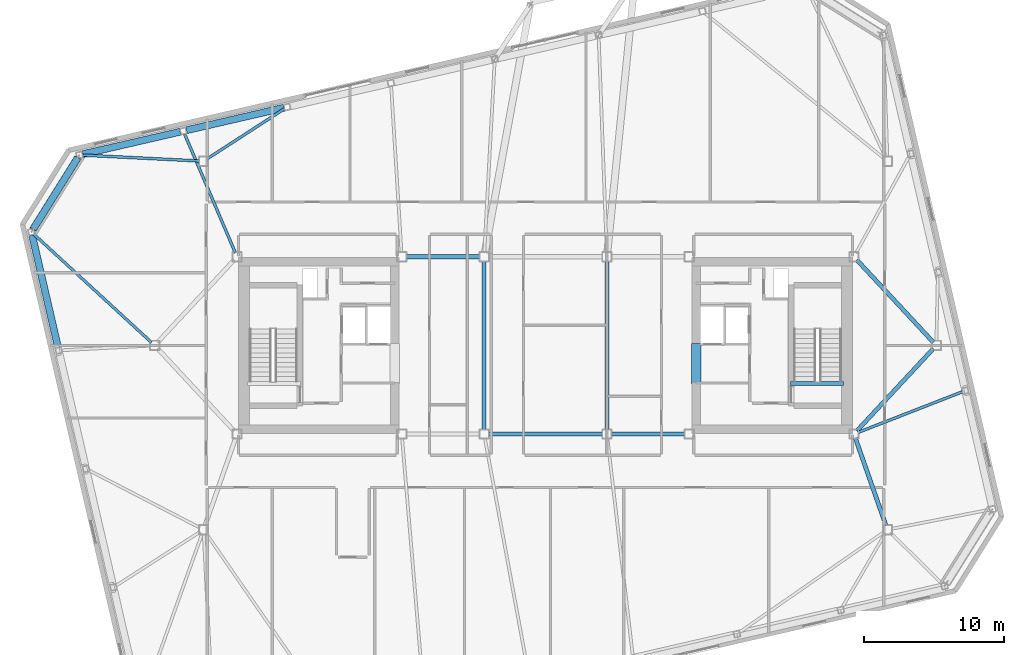
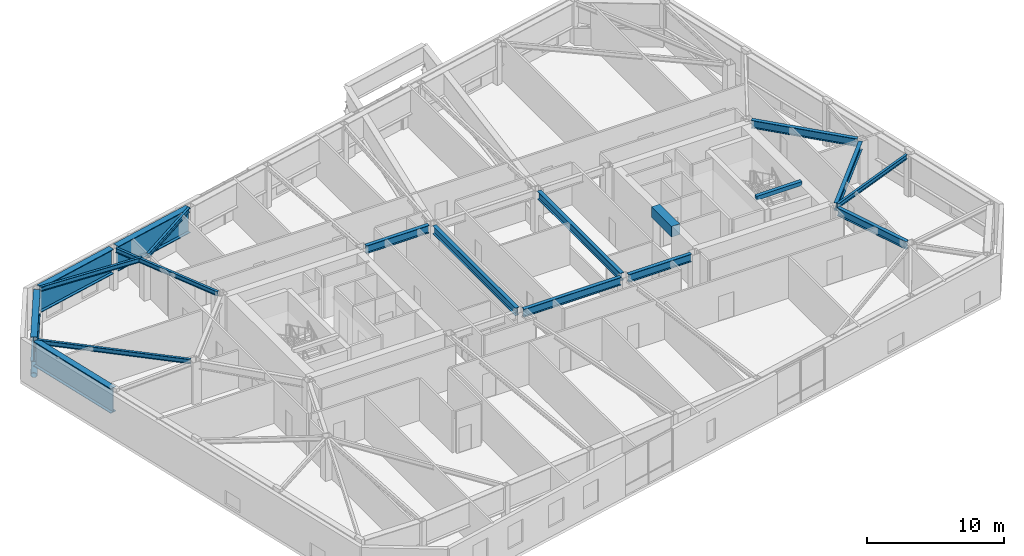
# One storey, part 11 of 23: 19 beams, 1 member.
"""IFC4 building model written with IfcOpenShell, lengths in metres."""

from ifc_helpers import new_model, si_unit, direction, frame, origin, origin_2d, place, context, subcontext, project, spatial, rectangle, hollow_circle, i_section, extrude, material, material_profile, profile_set, type_object, element, save


model = new_model("IFC4")

# Units and contexts
model_context = context("Model", 3, precision=1e-05, world=origin(), true_north=direction((0.0, 1.0)))
body_context = subcontext(model_context, "Body", "Model", "MODEL_VIEW")
ifc_project = project(units=[si_unit("LENGTHUNIT", "METRE"), si_unit("AREAUNIT", "SQUARE_METRE"), si_unit("VOLUMEUNIT", "CUBIC_METRE"), si_unit("PLANEANGLEUNIT", "RADIAN"), si_unit("MASSUNIT", "GRAM", prefix="KILO")], contexts=[model_context])

# Site, building, storey
site_placement = place(None, origin())
site = spatial("IfcSite", under=ifc_project, at=site_placement, CompositionType="ELEMENT")
building_placement = place(site_placement, origin())
building = spatial("IfcBuilding", under=site, at=building_placement, Name="Tavrogorsk Clinical Tower", CompositionType="ELEMENT")
storey_placement = place(building_placement, frame((0.0, 0.0, 305.0)))
storey = spatial("IfcBuildingStorey", under=building, at=storey_placement, Name="L71", CompositionType="ELEMENT", Elevation=305.0)

# Beam
ifc_material_1 = material(Name="Concrete B80", Category="concrete")
ifc_material_profile_1 = material_profile(ifc_material_1, rectangle(XDim=0.699951171875, YDim=0.949951171875, at=origin_2d()), Name="RC-CB-700x950")
ifc_profile_set_1 = profile_set([ifc_material_profile_1], Name="Concrete B80")
beam_type_1 = type_object("IfcBeamType", Name="CouplingBeam_RC700x950", PredefinedType="LINTEL", material=ifc_profile_set_1)
beam_1_placement = place(storey_placement, frame((10.800048828125, -2.75, 3.264892578125), z_axis=(0.0, 1.0, 0.0), x_axis=(-1.0, 0.0, 0.0)))
element("IfcBeam", 1, at=beam_1_placement, inside=storey, type_object=beam_type_1, Name="L71 Core East Coupling Beam", PredefinedType="LINTEL", context=body_context, shape_type="SweptSolid", body=[
    extrude(rectangle(XDim=0.699951171875, YDim=0.949951171875, at=origin_2d()), origin(), (0.0, 0.0, 1.0), 2.89990234375),
])

# Member
ifc_material_2 = material(Name="Structural steel S440", Category="steel")
ifc_material_profile_2 = material_profile(ifc_material_2, hollow_circle(Radius=0.25390625, WallThickness=0.02001953125, at=origin_2d()), Name="CHS-508x20")
ifc_profile_set_2 = profile_set([ifc_material_profile_2], Name="Structural steel S440")
member_type = type_object("IfcMemberType", Name="ExoBrace_CHS508", PredefinedType="BRACE", material=ifc_profile_set_2)
member_placement = place(storey_placement, frame((-36.71435546875, 8.322509765625, 0.342041015625), z_axis=(0.521279028887, 0.834205312209, 0.179915733399), x_axis=(-0.848043666451, 0.529926353179, 0.0)))
element("IfcMember", 2, at=member_placement, inside=storey, type_object=member_type, Name="L71 Corner Exoskeleton Brace N8-W1", PredefinedType="BRACE", context=body_context, shape_type="SweptSolid", body=[
    extrude(hollow_circle(Radius=0.25390625, WallThickness=0.02001953125, at=origin_2d()), origin(), (0.0, 0.0, 1.0), 6.14697265625),
])

# Beams
ifc_material_3 = material(Name="Structural steel S355", Category="steel")
ifc_material_profile_3 = material_profile(ifc_material_3, i_section(OverallWidth=0.199951171875, OverallDepth=0.39990234375, WebThickness=0.010498046875, FlangeThickness=0.01611328125, at=origin_2d()), Name="B-400x200x10.5x16")
ifc_profile_set_3 = profile_set([ifc_material_profile_3], Name="Structural steel S355")
beam_type_2 = type_object("IfcBeamType", Name="FloorBeam_B400", PredefinedType="BEAM", material=ifc_profile_set_3)
beam_2_placement = place(storey_placement, frame((-24.23974609375, 13.36865234375, 3.5400390625), z_axis=(0.839287867478, 0.543687295699, 0.0), x_axis=(-0.543687295699, 0.839287867478, 0.0)))
element("IfcBeam", 3, at=beam_2_placement, inside=storey, type_object=beam_type_2, Name="L71 Radial Floor Beam N6", PredefinedType="BEAM", context=body_context, shape_type="SweptSolid", body=[
    extrude(i_section(OverallWidth=0.199951171875, OverallDepth=0.39990234375, WebThickness=0.010498046875, FlangeThickness=0.01611328125, at=origin_2d()), origin(), (0.0, 0.0, 1.0), 6.592529296875),
])
beam_3_placement = place(storey_placement, frame((-22.2216796875, 6.635009765625, 3.5400390625), z_axis=(-0.392852744382, 0.919601392578, 0.0), x_axis=(-0.919601392578, -0.392852744382, 0.0)))
element("IfcBeam", 4, at=beam_3_placement, inside=storey, type_object=beam_type_2, Name="L71 Radial Floor Beam N7", PredefinedType="BEAM", context=body_context, shape_type="SweptSolid", body=[
    extrude(i_section(OverallWidth=0.199951171875, OverallDepth=0.39990234375, WebThickness=0.010498046875, FlangeThickness=0.01611328125, at=origin_2d()), origin(), (0.0, 0.0, 1.0), 9.25732421875),
])
beam_4_placement = place(storey_placement, frame((-24.8095703125, 13.215576171875, 3.5400390625), z_axis=(-0.998749933549, 0.049985700304, 0.0), x_axis=(-0.049985700304, -0.998749933549, 0.0)))
element("IfcBeam", 5, at=beam_4_placement, inside=storey, type_object=beam_type_2, Name="L71 Radial Floor Beam N8", PredefinedType="BEAM", context=body_context, shape_type="SweptSolid", body=[
    extrude(i_section(OverallWidth=0.199951171875, OverallDepth=0.39990234375, WebThickness=0.010498046875, FlangeThickness=0.01611328125, at=origin_2d()), origin(), (0.0, 0.0, 1.0), 8.35693359375),
])
beam_5_placement = place(storey_placement, frame((22.388916015625, -6.237548828125, 3.5400390625), z_axis=(0.931736989786, 0.363133834647, 0.0), x_axis=(-0.363133834647, 0.931736989786, 0.0)))
element("IfcBeam", 6, at=beam_5_placement, inside=storey, type_object=beam_type_2, Name="L71 Radial Floor Beam E2", PredefinedType="BEAM", context=body_context, shape_type="SweptSolid", body=[
    extrude(i_section(OverallWidth=0.199951171875, OverallDepth=0.39990234375, WebThickness=0.010498046875, FlangeThickness=0.01611328125, at=origin_2d()), origin(), (0.0, 0.0, 1.0), 8.01806640625),
])
beam_6_placement = place(storey_placement, frame((-28.228271484375, 0.2099609375, 3.5400390625), z_axis=(-0.735959452605, 0.677025615557, 0.0), x_axis=(-0.677025615557, -0.735959452605, 0.0)))
element("IfcBeam", 7, at=beam_6_placement, inside=storey, type_object=beam_type_2, Name="L71 Radial Floor Beam W1", PredefinedType="BEAM", context=body_context, shape_type="SweptSolid", body=[
    extrude(i_section(OverallWidth=0.199951171875, OverallDepth=0.39990234375, WebThickness=0.010498046875, FlangeThickness=0.01611328125, at=origin_2d()), origin(), (0.0, 0.0, 1.0), 11.462646484375),
])
ifc_material_4 = material(Name="Structural steel S390", Category="steel")
ifc_material_profile_4 = material_profile(ifc_material_4, i_section(OverallWidth=0.300048828125, OverallDepth=0.699951171875, WebThickness=0.01708984375, FlangeThickness=0.028076171875, at=origin_2d()), Name="B-700x300x17x28")
ifc_profile_set_4 = profile_set([ifc_material_profile_4], Name="Structural steel S390")
beam_type_3 = type_object("IfcBeamType", Name="PrimaryGirder_B700", PredefinedType="USERDEFINED", material=ifc_profile_set_4)
beam_7_placement = place(storey_placement, frame((-9.989990234375, 6.35009765625, 3.389892578125), z_axis=(1.0, 0.0, 0.0), x_axis=(0.0, 1.0, 0.0)))
element("IfcBeam", 8, at=beam_7_placement, inside=storey, type_object=beam_type_3, Name="L71 Primary Spine Girder MG-02", ObjectType="GIRDER", PredefinedType="USERDEFINED", context=body_context, shape_type="SweptSolid", body=[
    extrude(i_section(OverallWidth=0.300048828125, OverallDepth=0.699951171875, WebThickness=0.01708984375, FlangeThickness=0.028076171875, at=origin_2d()), origin(), (0.0, 0.0, 1.0), 5.280029296875),
])
beam_8_placement = place(storey_placement, frame((-4.090087890625, -6.35009765625, 3.389892578125), z_axis=(1.0, 0.0, 0.0), x_axis=(0.0, 1.0, 0.0)))
element("IfcBeam", 9, at=beam_8_placement, inside=storey, type_object=beam_type_3, Name="L71 Primary Spine Girder MG-03", ObjectType="GIRDER", PredefinedType="USERDEFINED", context=body_context, shape_type="SweptSolid", body=[
    extrude(i_section(OverallWidth=0.300048828125, OverallDepth=0.699951171875, WebThickness=0.01708984375, FlangeThickness=0.028076171875, at=origin_2d()), origin(), (0.0, 0.0, 1.0), 8.18017578125),
])
beam_9_placement = place(storey_placement, frame((4.7099609375, -6.35009765625, 3.389892578125), z_axis=(1.0, 0.0, 0.0), x_axis=(0.0, 1.0, 0.0)))
element("IfcBeam", 10, at=beam_9_placement, inside=storey, type_object=beam_type_3, Name="L71 Primary Spine Girder MG-05", ObjectType="GIRDER", PredefinedType="USERDEFINED", context=body_context, shape_type="SweptSolid", body=[
    extrude(i_section(OverallWidth=0.300048828125, OverallDepth=0.699951171875, WebThickness=0.01708984375, FlangeThickness=0.028076171875, at=origin_2d()), origin(), (0.0, 0.0, 1.0), 5.280029296875),
])
for number, where, z_axis, x_axis, name in (
    (11, (-4.39990234375, -6.0400390625, 3.389892578125), (0.0, 1.0, 0.0), (-1.0, 0.0, 0.0), "L71 Primary Spine Girder MG-07"),
    (12, (4.39990234375, -6.0400390625, 3.389892578125), (0.0, 1.0, 0.0), (-1.0, 0.0, 0.0), "L71 Primary Spine Girder MG-08"),
):
    element("IfcBeam", number, at=place(storey_placement, frame(where, z_axis=z_axis, x_axis=x_axis)), inside=storey, type_object=beam_type_3, Name=name, ObjectType="GIRDER", PredefinedType="USERDEFINED", context=body_context, shape_type="SweptSolid", body=[
        extrude(i_section(OverallWidth=0.300048828125, OverallDepth=0.699951171875, WebThickness=0.01708984375, FlangeThickness=0.028076171875, at=origin_2d()), origin(), (0.0, 0.0, 1.0), 12.080078125),
    ])
beam_10_placement = place(storey_placement, frame((24.3974609375, -12.907470703125, 3.389892578125), z_axis=(-0.330666578092, 0.943747643246, 0.0), x_axis=(-0.943747643246, -0.330666578092, 0.0)))
element("IfcBeam", 13, at=beam_10_placement, inside=storey, type_object=beam_type_3, Name="L71 Spine Link Girder OPG-2", ObjectType="GIRDER", PredefinedType="USERDEFINED", context=body_context, shape_type="SweptSolid", body=[
    extrude(i_section(OverallWidth=0.300048828125, OverallDepth=0.699951171875, WebThickness=0.01708984375, FlangeThickness=0.028076171875, at=origin_2d()), origin(), (0.0, 0.0, 1.0), 6.638427734375),
])
for number, where, z_axis, x_axis, name in (
    (14, (27.7890625, -0.22705078125, 3.389892578125), (-0.680677963005, -0.732582767119, 0.0), (0.732582767119, -0.680677963005, 0.0), "L71 Spine Link Girder OPG-7"),
    (15, (27.7890625, 0.22705078125, 3.389892578125), (-0.680677963005, 0.732582767119, 0.0), (-0.732582767119, -0.680677963005, 0.0), "L71 Spine Link Girder OPG-8"),
):
    element("IfcBeam", number, at=place(storey_placement, frame(where, z_axis=z_axis, x_axis=x_axis)), inside=storey, type_object=beam_type_3, Name=name, ObjectType="GIRDER", PredefinedType="USERDEFINED", context=body_context, shape_type="SweptSolid", body=[
        extrude(i_section(OverallWidth=0.300048828125, OverallDepth=0.699951171875, WebThickness=0.01708984375, FlangeThickness=0.028076171875, at=origin_2d()), origin(), (0.0, 0.0, 1.0), 8.0478515625),
    ])
ifc_material_5 = material(Name="Concrete B60", Category="concrete")
ifc_material_profile_5 = material_profile(ifc_material_5, rectangle(XDim=0.300048828125, YDim=0.35009765625, at=origin_2d()), Name="RC-SHB-300x350")
ifc_profile_set_5 = profile_set([ifc_material_profile_5], Name="Concrete B60")
beam_type_4 = type_object("IfcBeamType", Name="StairHeaderBeam_RC300x350", PredefinedType="BEAM", material=ifc_profile_set_5)
beam_11_placement = place(storey_placement, frame((17.550048828125, -2.719970703125, 3.824951171875), z_axis=(1.0, 0.0, 0.0), x_axis=(0.0, 1.0, 0.0)))
element("IfcBeam", 16, at=beam_11_placement, inside=storey, type_object=beam_type_4, Name="L72 ST-E Landing Header Beam", PredefinedType="BEAM", context=body_context, shape_type="SweptSolid", body=[
    extrude(rectangle(XDim=0.300048828125, YDim=0.35009765625, at=origin_2d()), origin(), (0.0, 0.0, 1.0), 3.800048828125),
])
ifc_material_6 = material(Name="Structural steel S440", Category="steel")
ifc_material_profile_6 = material_profile(ifc_material_6, i_section(OverallWidth=0.5, OverallDepth=2.199951171875, WebThickness=0.035888671875, FlangeThickness=0.054931640625, at=origin_2d()), Name="DK-2200x500x36x55")
ifc_profile_set_6 = profile_set([ifc_material_profile_6], Name="Structural steel S440")
beam_type_5 = type_object("IfcBeamType", Name="TransferGirder_DK2200", PredefinedType="USERDEFINED", material=ifc_profile_set_6)
beam_12_placement = place(storey_placement, frame((-18.73828125, 17.027099609375, 2.639892578125), z_axis=(-0.97437684326, -0.224921691527, 0.0), x_axis=(0.224921691527, -0.97437684326, 0.0)))
element("IfcBeam", 17, at=beam_12_placement, inside=storey, type_object=beam_type_5, Name="L71 Perimeter Spandrel N6-N7", ObjectType="GIRDER", PredefinedType="USERDEFINED", context=body_context, shape_type="SweptSolid", body=[
    extrude(i_section(OverallWidth=0.5, OverallDepth=2.199951171875, WebThickness=0.035888671875, FlangeThickness=0.054931640625, at=origin_2d()), origin(), (0.0, 0.0, 1.0), 7.168212890625),
])
beam_13_placement = place(storey_placement, frame((-26.177001953125, 15.309814453125, 2.639892578125), z_axis=(-0.974369378592, -0.224954026551, 0.0), x_axis=(0.224954026551, -0.974369378592, 0.0)))
element("IfcBeam", 18, at=beam_13_placement, inside=storey, type_object=beam_type_5, Name="L71 Perimeter Spandrel N7-N8", ObjectType="GIRDER", PredefinedType="USERDEFINED", context=body_context, shape_type="SweptSolid", body=[
    extrude(i_section(OverallWidth=0.5, OverallDepth=2.199951171875, WebThickness=0.035888671875, FlangeThickness=0.054931640625, at=origin_2d()), origin(), (0.0, 0.0, 1.0), 7.16845703125),
])
beam_14_placement = place(storey_placement, frame((-33.511962890625, 13.447265625, 2.639892578125), z_axis=(-0.529933531413, -0.848039180866, 0.0), x_axis=(0.848039180866, -0.529933531413, 0.0)))
element("IfcBeam", 19, at=beam_14_placement, inside=storey, type_object=beam_type_5, Name="L71 Perimeter Spandrel N8-W1", ObjectType="GIRDER", PredefinedType="USERDEFINED", context=body_context, shape_type="SweptSolid", body=[
    extrude(i_section(OverallWidth=0.5, OverallDepth=2.199951171875, WebThickness=0.035888671875, FlangeThickness=0.054931640625, at=origin_2d()), origin(), (0.0, 0.0, 1.0), 6.039306640625),
])
beam_15_placement = place(storey_placement, frame((-36.783447265625, 7.901123046875, 2.639892578125), z_axis=(0.224950345141, -0.974370228517, 0.0), x_axis=(0.974370228517, 0.224950345141, 0.0)))
element("IfcBeam", 20, at=beam_15_placement, inside=storey, type_object=beam_type_5, Name="L71 Perimeter Spandrel W1-W2", ObjectType="GIRDER", PredefinedType="USERDEFINED", context=body_context, shape_type="SweptSolid", body=[
    extrude(i_section(OverallWidth=0.5, OverallDepth=2.199951171875, WebThickness=0.035888671875, FlangeThickness=0.054931640625, at=origin_2d()), origin(), (0.0, 0.0, 1.0), 8.243896484375),
])

save(model, "model.ifc")
